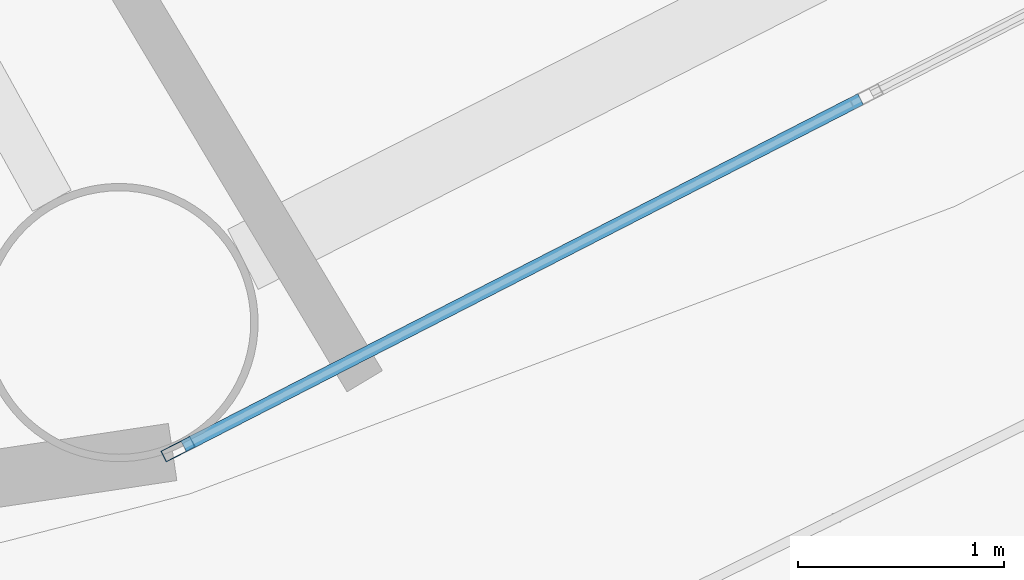
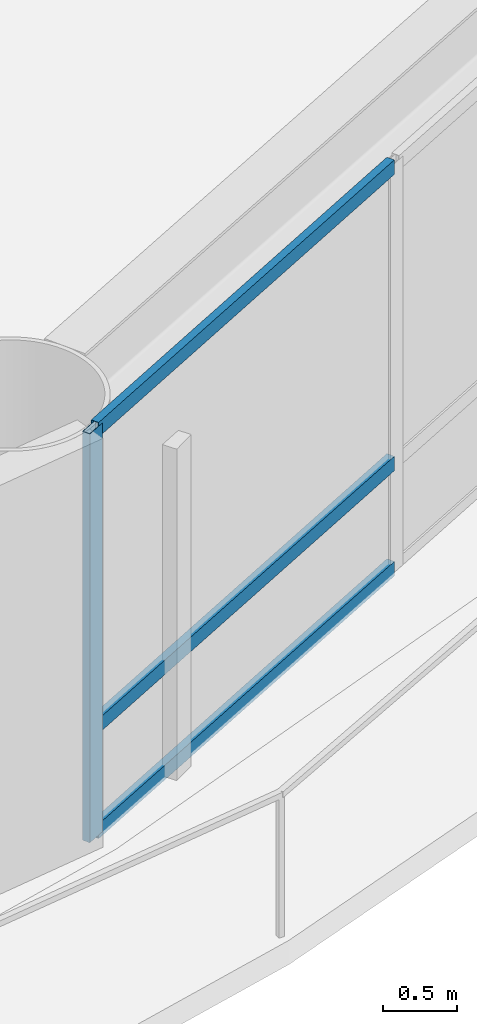
# One storey, part 6 of 26: 4 members, 1 element without a shape of its own.
"""IFC4 building model written with IfcOpenShell, lengths in metres."""

from ifc_helpers import new_model, si_unit, direction, frame, origin, origin_2d, place, context, subcontext, project, spatial, hollow_rectangle, extrude, material, layer, layer_set, material_profile, profile_set, type_object, element, aggregate, save


model = new_model("IFC4")

# Units and contexts
model_context = context("Model", 3, precision=1e-05, world=origin(), true_north=direction((0.0, 1.0)))
body_context = subcontext(model_context, "Body", "Model", "MODEL_VIEW")
ifc_project = project(units=[si_unit("LENGTHUNIT", "METRE"), si_unit("AREAUNIT", "SQUARE_METRE"), si_unit("VOLUMEUNIT", "CUBIC_METRE"), si_unit("PLANEANGLEUNIT", "RADIAN"), si_unit("MASSUNIT", "GRAM", prefix="KILO")], contexts=[model_context])

# Site, building, storey
site_placement = place(None, origin())
site = spatial("IfcSite", under=ifc_project, at=site_placement, CompositionType="ELEMENT")
building_placement = place(site_placement, origin())
building = spatial("IfcBuilding", under=site, at=building_placement, Name="Sarneth Arch Tower", CompositionType="ELEMENT")
storey_placement = place(building_placement, frame((0.0, 0.0, 57.0)))
storey = spatial("IfcBuildingStorey", under=building, at=storey_placement, Name="L13", CompositionType="ELEMENT", Elevation=57.0)

# Curtain wall, members
ifc_material_1 = material(Name="Anodised aluminium Type AA25 and solar-control low-e laminated IGU", Category="aluminium")
ifc_layer = layer(ifc_material_1, 0.159912109375)
ifc_layer_set = layer_set([ifc_layer], Name="Anodised aluminium Type AA25 and solar-control low-e laminated IGU")
curtain_wall_type = type_object("IfcCurtainWallType", Name="CW-HOTEL-LOW", PredefinedType="NOTDEFINED", material=ifc_layer_set)
curtain_wall_placement = place(storey_placement, origin())
curtain_wall = element("IfcCurtainWall", 1, at=curtain_wall_placement, inside=storey, type_object=curtain_wall_type, Name="L13 Unitised curtain wall facet 14", PredefinedType="NOTDEFINED")
ifc_material_2 = material(Name="Anodised Aluminium 6063-T6", Category="aluminium")
ifc_material_profile_1 = material_profile(ifc_material_2, hollow_rectangle(XDim=0.06005859375, YDim=0.159912109375, WallThickness=0.00390625, at=origin_2d()), Name="AL-MULL-160x60x4")
ifc_profile_set_1 = profile_set([ifc_material_profile_1], Name="Anodised Aluminium 6063-T6")
member_type_1 = type_object("IfcMemberType", Name="CW-MULLION", PredefinedType="MULLION", material=ifc_profile_set_1)
member_1_placement = place(storey_placement, frame((60.1044921875, 19.951416015625, 0.0), z_axis=(0.0, 0.0, 1.0), x_axis=(-0.456245197127, 0.889854100456, 0.0)))
member_1 = element("IfcMember", 2, at=member_1_placement, type_object=member_type_1, Name="CW-SYS-3 mullion 1", PredefinedType="MULLION", context=body_context, shape_type="SweptSolid", body=[
    extrude(hollow_rectangle(XDim=0.06005859375, YDim=0.159912109375, WallThickness=0.00390625, at=origin_2d()), origin(), (0.0, 0.0, 1.0), 3.3798828125),
])
ifc_material_3 = material(Name="Anodised Aluminium 6063-T6", Category="aluminium")
ifc_material_profile_2 = material_profile(ifc_material_3, hollow_rectangle(XDim=0.06005859375, YDim=0.1201171875, WallThickness=0.00390625, at=origin_2d()), Name="AL-TRAN-120x60x4")
ifc_profile_set_2 = profile_set([ifc_material_profile_2], Name="Anodised Aluminium 6063-T6")
member_type_2 = type_object("IfcMemberType", Name="CW-TRANSOM", PredefinedType="USERDEFINED", material=ifc_profile_set_2)
member_2_placement = place(storey_placement, frame((60.13134765625, 19.965087890625, 0.030029296875), z_axis=(0.889831232102, 0.456289796485, 0.0), x_axis=(-0.456289796485, 0.889831232102, 0.0)))
member_2 = element("IfcMember", 3, at=member_2_placement, type_object=member_type_2, Name="CW-SYS-3 transom 1.1", ObjectType="TRANSOM", PredefinedType="USERDEFINED", context=body_context, shape_type="SweptSolid", body=[
    extrude(hollow_rectangle(XDim=0.06005859375, YDim=0.1201171875, WallThickness=0.00390625, at=origin_2d()), origin(), (0.0, 0.0, 1.0), 3.69189453125),
])
member_3_placement = place(storey_placement, frame((60.13134765625, 19.965087890625, 0.89990234375), z_axis=(0.889831232102, 0.456289796485, 0.0), x_axis=(-0.456289796485, 0.889831232102, 0.0)))
member_3 = element("IfcMember", 4, at=member_3_placement, type_object=member_type_2, Name="CW-SYS-3 transom 1.2", ObjectType="TRANSOM", PredefinedType="USERDEFINED", context=body_context, shape_type="SweptSolid", body=[
    extrude(hollow_rectangle(XDim=0.06005859375, YDim=0.1201171875, WallThickness=0.00390625, at=origin_2d()), origin(), (0.0, 0.0, 1.0), 3.69189453125),
])
member_4_placement = place(storey_placement, frame((60.13134765625, 19.965087890625, 3.35009765625), z_axis=(0.889831232102, 0.456289796485, 0.0), x_axis=(-0.456289796485, 0.889831232102, 0.0)))
member_4 = element("IfcMember", 5, at=member_4_placement, type_object=member_type_2, Name="CW-SYS-3 transom 1.3", ObjectType="TRANSOM", PredefinedType="USERDEFINED", context=body_context, shape_type="SweptSolid", body=[
    extrude(hollow_rectangle(XDim=0.06005859375, YDim=0.1201171875, WallThickness=0.00390625, at=origin_2d()), origin(), (0.0, 0.0, 1.0), 3.69189453125),
])
aggregate(curtain_wall, [member_1, member_2, member_3, member_4])

save(model, "model.ifc")
